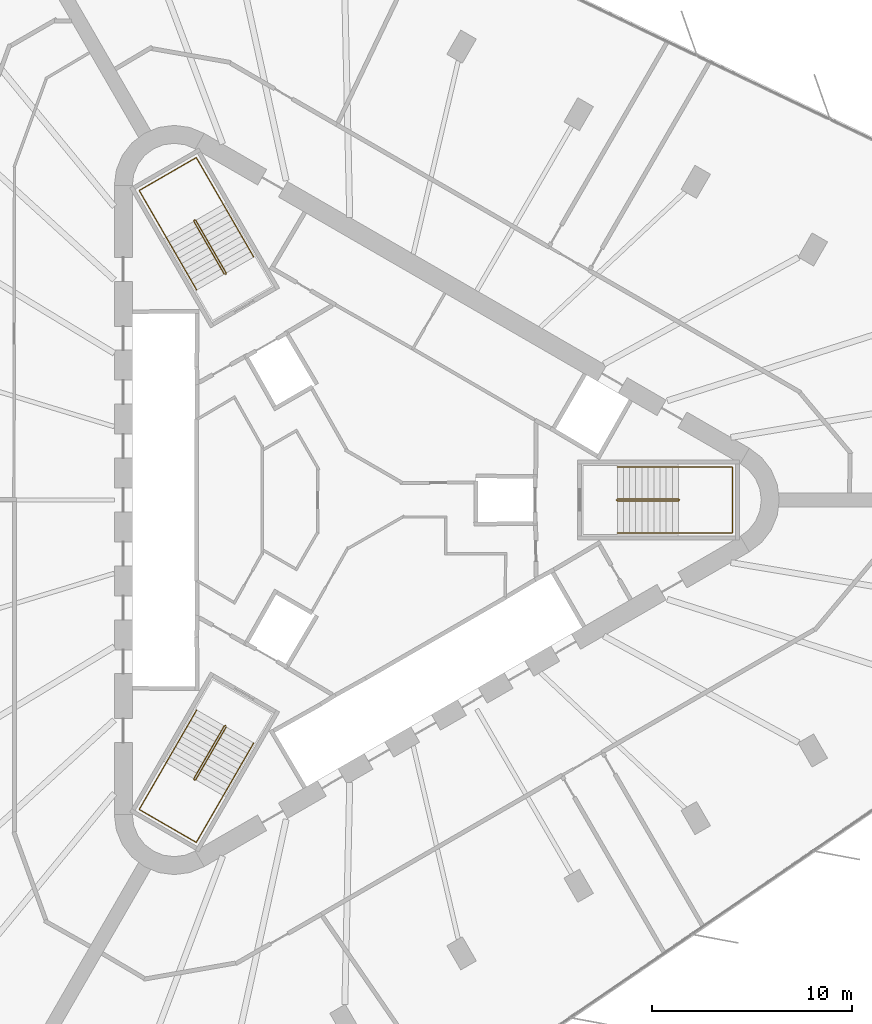
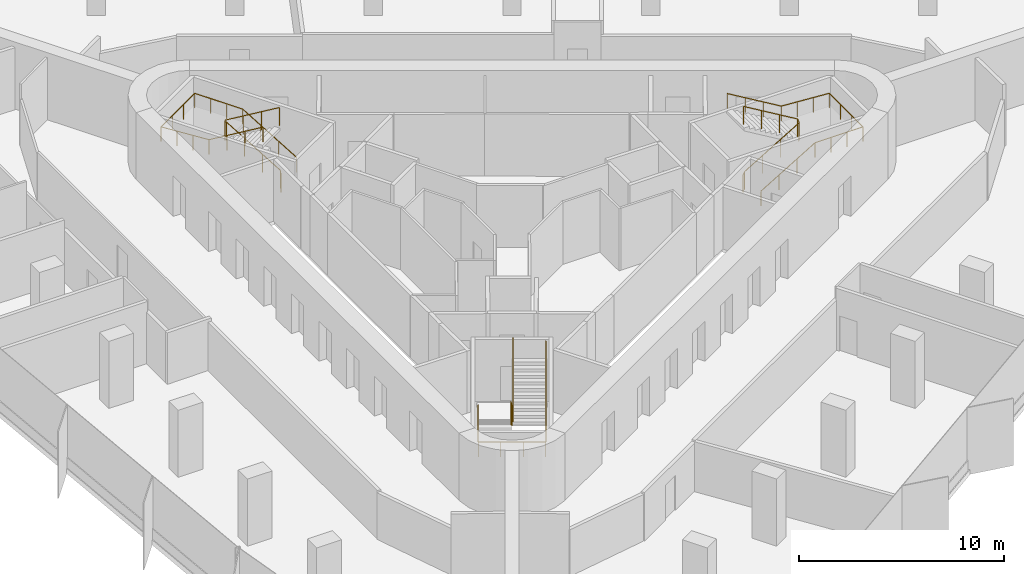
# One storey, part 13 of 13: 6 railings.
"""IFC4 building model written with IfcOpenShell, lengths in metres."""

from ifc_helpers import new_model, si_unit, direction, frame, origin, origin_2d, place, context, subcontext, project, spatial, circle, extrude, material, type_object, element, save


model = new_model("IFC4")

# Units and contexts
model_context = context("Model", 3, precision=1e-05, world=origin(), true_north=direction((0.0, 1.0)))
body_context = subcontext(model_context, "Body", "Model", "MODEL_VIEW")
ifc_project = project(units=[si_unit("LENGTHUNIT", "METRE"), si_unit("AREAUNIT", "SQUARE_METRE"), si_unit("VOLUMEUNIT", "CUBIC_METRE"), si_unit("PLANEANGLEUNIT", "RADIAN"), si_unit("MASSUNIT", "GRAM", prefix="KILO")], contexts=[model_context])

# Site, building, storey
site_placement = place(None, origin())
site = spatial("IfcSite", under=ifc_project, at=site_placement, CompositionType="ELEMENT")
building_placement = place(site_placement, origin())
building = spatial("IfcBuilding", under=site, at=building_placement, Name="Tanit Gate Tower", CompositionType="ELEMENT")
storey_placement = place(building_placement, frame((0.0, 0.0, 201.199951171875)))
storey = spatial("IfcBuildingStorey", under=building, at=storey_placement, Name="L44", CompositionType="ELEMENT", Elevation=201.199951171875)

# Railings
ifc_material_1 = material(Name="Stainless steel balustrade", Category="steel")
railing_type_1 = type_object("IfcRailingType", Name="INT-STAIR-GUARD", PredefinedType="GUARDRAIL", material=ifc_material_1)
railing_1_placement = place(storey_placement, frame((13.044921875, 0.0048828125, 0.0)))
element("IfcRailing", 1, at=railing_1_placement, inside=storey, type_object=railing_type_1, Name="L44 S1 stair guard 1", PredefinedType="GUARDRAIL", context=body_context, shape_type="SweptSolid", body=[
    extrude(circle(Radius=0.02392578125, at=origin_2d()), frame((0.0, 0.0, 1.076171875), z_axis=(0.0, -1.0, 0.0), x_axis=(1.0, 0.0, 0.0)), (0.0, 0.0, 1.0), 0.009765625),
    extrude(circle(Radius=0.02392578125, at=origin_2d()), frame((0.0, -0.009765625, 1.076171875), z_axis=(0.256435381639, -0.256435381639, 0.931923704005), x_axis=(0.707106781187, 0.707106781187, 0.0)), (0.0, 0.0, 1.0), 0.195068359375),
    extrude(circle(Radius=0.02392578125, at=origin_2d()), frame((0.050048828125, -0.059814453125, 1.2578125), z_axis=(0.859041732319, 0.0, 0.511905559781), x_axis=(0.0, 1.0, 0.0)), (0.0, 0.0, 1.0), 3.5517578125),
    extrude(circle(Radius=0.02392578125, at=origin_2d()), frame((3.10107421875, -0.059814453125, 3.076171875), z_axis=(0.707106781187, 0.707106781187, 0.0), x_axis=(-0.707106781187, 0.707106781187, 0.0)), (0.0, 0.0, 1.0), 0.07080078125),
    extrude(circle(Radius=0.02392578125, at=origin_2d()), frame((3.151123046875, -0.009765625, 3.076171875), z_axis=(0.0, 1.0, 0.0), x_axis=(-1.0, 0.0, 0.0)), (0.0, 0.0, 1.0), 0.009765625),
    extrude(circle(Radius=0.02392578125, at=origin_2d()), frame((3.151123046875, 0.0, 3.076171875), z_axis=(-0.256435381639, 0.256435381639, 0.931923704005), x_axis=(-0.707106781187, -0.707106781187, 0.0)), (0.0, 0.0, 1.0), 0.195068359375),
    extrude(circle(Radius=0.02392578125, at=origin_2d()), frame((3.10107421875, 0.050048828125, 3.2578125), z_axis=(-0.859041732319, 0.0, 0.511905559781), x_axis=(0.0, -1.0, 0.0)), (0.0, 0.0, 1.0), 3.5517578125),
    extrude(circle(Radius=0.02099609375, at=origin_2d()), origin(), (0.0, 0.0, 1.0), 1.052001953125),
    extrude(circle(Radius=0.02099609375, at=origin_2d()), frame((0.0, -0.009765625, 0.0)), (0.0, 0.0, 1.0), 1.052001953125),
    extrude(circle(Radius=0.02099609375, at=origin_2d()), frame((0.050048828125, -0.059814453125, 0.181884765625)), (0.0, 0.0, 1.0), 1.052001953125),
    extrude(circle(Radius=0.02099609375, at=origin_2d()), frame((1.067138671875, -0.059814453125, 0.787841796875)), (0.0, 0.0, 1.0), 1.052001953125),
    extrude(circle(Radius=0.02099609375, at=origin_2d()), frame((2.083984375, -0.059814453125, 1.39404296875)), (0.0, 0.0, 1.0), 1.052001953125),
    extrude(circle(Radius=0.02099609375, at=origin_2d()), frame((3.10107421875, -0.059814453125, 2.0)), (0.0, 0.0, 1.0), 1.052001953125),
    extrude(circle(Radius=0.02099609375, at=origin_2d()), frame((3.151123046875, -0.009765625, 2.0)), (0.0, 0.0, 1.0), 1.052001953125),
    extrude(circle(Radius=0.02099609375, at=origin_2d()), frame((3.151123046875, 0.0, 2.0)), (0.0, 0.0, 1.0), 1.052001953125),
    extrude(circle(Radius=0.02099609375, at=origin_2d()), frame((3.10107421875, 0.050048828125, 2.181884765625)), (0.0, 0.0, 1.0), 1.052001953125),
    extrude(circle(Radius=0.02099609375, at=origin_2d()), frame((2.083984375, 0.050048828125, 2.787841796875)), (0.0, 0.0, 1.0), 1.052001953125),
    extrude(circle(Radius=0.02099609375, at=origin_2d()), frame((1.067138671875, 0.050048828125, 3.39404296875)), (0.0, 0.0, 1.0), 1.052001953125),
    extrude(circle(Radius=0.02099609375, at=origin_2d()), frame((0.050048828125, 0.050048828125, 4.0)), (0.0, 0.0, 1.0), 1.052001953125),
])
railing_2_placement = place(storey_placement, frame((-6.527099609375, 11.29345703125, 0.0)))
element("IfcRailing", 2, at=railing_2_placement, inside=storey, type_object=railing_type_1, Name="L44 S2 stair guard 1", PredefinedType="GUARDRAIL", context=body_context, shape_type="SweptSolid", body=[
    extrude(circle(Radius=0.02392578125, at=origin_2d()), frame((0.0, 0.0, 1.076171875), z_axis=(0.868243142124, 0.496138938357, 0.0), x_axis=(-0.496138938357, 0.868243142124, 0.0)), (0.0, 0.0, 1.0), 0.01171875),
    extrude(circle(Radius=0.02392578125, at=origin_2d()), frame((0.01025390625, 0.005859375, 1.076171875), z_axis=(0.093819657636, 0.350260055175, 0.93194193252), x_axis=(-0.965948051503, 0.258736085224, 0.0)), (0.0, 0.0, 1.0), 0.195068359375),
    extrude(circle(Radius=0.02392578125, at=origin_2d()), frame((0.028564453125, 0.07421875, 1.2578125), z_axis=(-0.429472220917, 0.743822504634, 0.512134448226), x_axis=(-0.866012246495, -0.500022788402, 0.0)), (0.0, 0.0, 1.0), 3.550048828125),
    extrude(circle(Radius=0.02392578125, at=origin_2d()), frame((-1.49609375, 2.71484375, 3.076171875), z_axis=(-0.965715946433, 0.259601060869, 0.0), x_axis=(-0.259601060869, -0.965715946433, 0.0)), (0.0, 0.0, 1.0), 0.070556640625),
    extrude(circle(Radius=0.02392578125, at=origin_2d()), frame((-1.564208984375, 2.733154296875, 3.076171875), z_axis=(-0.873197702015, -0.487366159264, 0.0), x_axis=(0.487366159264, -0.873197702015, 0.0)), (0.0, 0.0, 1.0), 0.011962890625),
    extrude(circle(Radius=0.02392578125, at=origin_2d()), frame((-1.57470703125, 2.727294921875, 3.076171875), z_axis=(-0.093819657636, -0.350260055175, 0.93194193252), x_axis=(0.965948051503, -0.258736085224, 0.0)), (0.0, 0.0, 1.0), 0.195068359375),
    extrude(circle(Radius=0.02392578125, at=origin_2d()), frame((-1.593017578125, 2.658935546875, 3.2578125), z_axis=(0.429472220917, -0.743822504634, 0.512134448226), x_axis=(0.866012246495, 0.500022788402, 0.0)), (0.0, 0.0, 1.0), 3.550048828125),
    extrude(circle(Radius=0.02099609375, at=origin_2d()), origin(), (0.0, 0.0, 1.0), 1.052001953125),
    extrude(circle(Radius=0.02099609375, at=origin_2d()), frame((0.01025390625, 0.005859375, 0.0)), (0.0, 0.0, 1.0), 1.052001953125),
    extrude(circle(Radius=0.02099609375, at=origin_2d()), frame((0.028564453125, 0.07421875, 0.181884765625)), (0.0, 0.0, 1.0), 1.052001953125),
    extrude(circle(Radius=0.02099609375, at=origin_2d()), frame((-0.479736328125, 0.954345703125, 0.787841796875)), (0.0, 0.0, 1.0), 1.052001953125),
    extrude(circle(Radius=0.02099609375, at=origin_2d()), frame((-0.98779296875, 1.834716796875, 1.39404296875)), (0.0, 0.0, 1.0), 1.052001953125),
    extrude(circle(Radius=0.02099609375, at=origin_2d()), frame((-1.49609375, 2.71484375, 2.0)), (0.0, 0.0, 1.0), 1.052001953125),
    extrude(circle(Radius=0.02099609375, at=origin_2d()), frame((-1.564208984375, 2.733154296875, 2.0)), (0.0, 0.0, 1.0), 1.052001953125),
    extrude(circle(Radius=0.02099609375, at=origin_2d()), frame((-1.57470703125, 2.727294921875, 2.0)), (0.0, 0.0, 1.0), 1.052001953125),
    extrude(circle(Radius=0.02099609375, at=origin_2d()), frame((-1.593017578125, 2.658935546875, 2.181884765625)), (0.0, 0.0, 1.0), 1.052001953125),
    extrude(circle(Radius=0.02099609375, at=origin_2d()), frame((-1.084716796875, 1.77880859375, 2.787841796875)), (0.0, 0.0, 1.0), 1.052001953125),
    extrude(circle(Radius=0.02099609375, at=origin_2d()), frame((-0.57666015625, 0.8984375, 3.39404296875)), (0.0, 0.0, 1.0), 1.052001953125),
    extrude(circle(Radius=0.02099609375, at=origin_2d()), frame((-0.068359375, 0.018310546875, 4.0)), (0.0, 0.0, 1.0), 1.052001953125),
])
railing_3_placement = place(storey_placement, frame((-6.51806640625, -11.2998046875, 0.0)))
element("IfcRailing", 3, at=railing_3_placement, inside=storey, type_object=railing_type_1, Name="L44 S3 stair guard 1", PredefinedType="GUARDRAIL", context=body_context, shape_type="SweptSolid", body=[
    extrude(circle(Radius=0.02392578125, at=origin_2d()), frame((0.0, 0.0, 1.076171875), z_axis=(-0.874157276122, 0.485642931179, 0.0), x_axis=(-0.485642931179, -0.874157276122, 0.0)), (0.0, 0.0, 1.0), 0.010009765625),
    extrude(circle(Radius=0.02392578125, at=origin_2d()), frame((-0.0087890625, 0.0048828125, 1.076171875), z_axis=(-0.350300895388, -0.092579522353, 0.932050596658), x_axis=(0.255512919477, -0.966805641264, 0.0)), (0.0, 0.0, 1.0), 0.195068359375),
    extrude(circle(Radius=0.02392578125, at=origin_2d()), frame((-0.0771484375, -0.01318359375, 1.2578125), z_axis=(-0.429486674828, -0.743971555965, 0.511905772639), x_axis=(0.866048339477, -0.499960272111, 0.0)), (0.0, 0.0, 1.0), 3.5517578125),
    extrude(circle(Radius=0.02392578125, at=origin_2d()), frame((-1.6025390625, -2.655517578125, 3.076171875), z_axis=(0.258736085224, -0.965948051503, 0.0), x_axis=(0.965948051503, 0.258736085224, 0.0)), (0.0, 0.0, 1.0), 0.07080078125),
    extrude(circle(Radius=0.02392578125, at=origin_2d()), frame((-1.584228515625, -2.723876953125, 3.076171875), z_axis=(0.868243142124, -0.496138938357, 0.0), x_axis=(0.496138938357, 0.868243142124, 0.0)), (0.0, 0.0, 1.0), 0.009765625),
    extrude(circle(Radius=0.02392578125, at=origin_2d()), frame((-1.57568359375, -2.728759765625, 3.076171875), z_axis=(0.350260055175, 0.093819657636, 0.93194193252), x_axis=(-0.258736085224, 0.965948051503, 0.0)), (0.0, 0.0, 1.0), 0.195068359375),
    extrude(circle(Radius=0.02392578125, at=origin_2d()), frame((-1.50732421875, -2.71044921875, 3.2578125), z_axis=(0.429564698942, 0.743918894535, 0.511916836777), x_axis=(-0.865993683553, 0.500054937028, 0.0)), (0.0, 0.0, 1.0), 3.551513671875),
    extrude(circle(Radius=0.02099609375, at=origin_2d()), origin(), (0.0, 0.0, 1.0), 1.052001953125),
    extrude(circle(Radius=0.02099609375, at=origin_2d()), frame((-0.0087890625, 0.0048828125, 0.0)), (0.0, 0.0, 1.0), 1.052001953125),
    extrude(circle(Radius=0.02099609375, at=origin_2d()), frame((-0.0771484375, -0.01318359375, 0.181884765625)), (0.0, 0.0, 1.0), 1.052001953125),
    extrude(circle(Radius=0.02099609375, at=origin_2d()), frame((-0.585693359375, -0.89404296875, 0.787841796875)), (0.0, 0.0, 1.0), 1.052001953125),
    extrude(circle(Radius=0.02099609375, at=origin_2d()), frame((-1.093994140625, -1.774658203125, 1.39404296875)), (0.0, 0.0, 1.0), 1.052001953125),
    extrude(circle(Radius=0.02099609375, at=origin_2d()), frame((-1.6025390625, -2.655517578125, 2.0)), (0.0, 0.0, 1.0), 1.052001953125),
    extrude(circle(Radius=0.02099609375, at=origin_2d()), frame((-1.584228515625, -2.723876953125, 2.0)), (0.0, 0.0, 1.0), 1.052001953125),
    extrude(circle(Radius=0.02099609375, at=origin_2d()), frame((-1.57568359375, -2.728759765625, 2.0)), (0.0, 0.0, 1.0), 1.052001953125),
    extrude(circle(Radius=0.02099609375, at=origin_2d()), frame((-1.50732421875, -2.71044921875, 2.181884765625)), (0.0, 0.0, 1.0), 1.052001953125),
    extrude(circle(Radius=0.02099609375, at=origin_2d()), frame((-0.998779296875, -1.829833984375, 2.787841796875)), (0.0, 0.0, 1.0), 1.052001953125),
    extrude(circle(Radius=0.02099609375, at=origin_2d()), frame((-0.490234375, -0.948974609375, 3.39404296875)), (0.0, 0.0, 1.0), 1.052001953125),
    extrude(circle(Radius=0.02099609375, at=origin_2d()), frame((0.018310546875, -0.068359375, 4.0)), (0.0, 0.0, 1.0), 1.052001953125),
])
ifc_material_2 = material(Name="Stainless steel handrail", Category="steel")
railing_type_2 = type_object("IfcRailingType", Name="INT-STAIR-HANDRAIL", PredefinedType="HANDRAIL", material=ifc_material_2)
railing_4_placement = place(storey_placement, frame((13.094970703125, -1.64990234375, 0.181884765625)))
element("IfcRailing", 4, at=railing_4_placement, inside=storey, type_object=railing_type_2, Name="L44 S1 stair handrail 1", PredefinedType="HANDRAIL", context=body_context, shape_type="SweptSolid", body=[
    extrude(circle(Radius=0.02392578125, at=origin_2d()), frame((0.0, 0.0, 0.8759765625), z_axis=(0.859041732319, 0.0, 0.511905559781), x_axis=(0.0, 1.0, 0.0)), (0.0, 0.0, 1.0), 3.5517578125),
    extrude(circle(Radius=0.02392578125, at=origin_2d()), frame((3.051025390625, 0.0, 2.69384765625), z_axis=(1.0, 0.0, 0.0), x_axis=(0.0, 1.0, 0.0)), (0.0, 0.0, 1.0), 2.7041015625),
    extrude(circle(Radius=0.02392578125, at=origin_2d()), frame((5.755126953125, 0.0, 2.69384765625), z_axis=(0.0, 1.0, 0.0), x_axis=(-1.0, 0.0, 0.0)), (0.0, 0.0, 1.0), 3.2998046875),
    extrude(circle(Radius=0.02392578125, at=origin_2d()), frame((5.755126953125, 3.2998046875, 2.69384765625), z_axis=(-0.997745521698, 0.0, 0.067110907698), x_axis=(0.0, -1.0, 0.0)), (0.0, 0.0, 1.0), 2.710205078125),
    extrude(circle(Radius=0.02392578125, at=origin_2d()), frame((3.051025390625, 3.2998046875, 2.8759765625), z_axis=(-0.859041732319, 0.0, 0.511905559781), x_axis=(0.0, -1.0, 0.0)), (0.0, 0.0, 1.0), 3.5517578125),
    extrude(circle(Radius=0.02099609375, at=origin_2d()), origin(), (0.0, 0.0, 1.0), 0.851806640625),
    extrude(circle(Radius=0.02099609375, at=origin_2d()), frame((1.01708984375, 0.0, 0.60595703125)), (0.0, 0.0, 1.0), 0.851806640625),
    extrude(circle(Radius=0.02099609375, at=origin_2d()), frame((2.033935546875, 0.0, 1.212158203125)), (0.0, 0.0, 1.0), 0.851806640625),
    extrude(circle(Radius=0.02099609375, at=origin_2d()), frame((3.051025390625, 0.0, 1.818115234375)), (0.0, 0.0, 1.0), 0.851806640625),
    extrude(circle(Radius=0.02099609375, at=origin_2d()), frame((3.952392578125, 0.0, 1.818115234375)), (0.0, 0.0, 1.0), 0.851806640625),
    extrude(circle(Radius=0.02099609375, at=origin_2d()), frame((4.853759765625, 0.0, 1.818115234375)), (0.0, 0.0, 1.0), 0.851806640625),
    extrude(circle(Radius=0.02099609375, at=origin_2d()), frame((5.755126953125, 0.0, 1.818115234375)), (0.0, 0.0, 1.0), 0.851806640625),
    extrude(circle(Radius=0.02099609375, at=origin_2d()), frame((5.755126953125, 1.099853515625, 1.818115234375)), (0.0, 0.0, 1.0), 0.851806640625),
    extrude(circle(Radius=0.02099609375, at=origin_2d()), frame((5.755126953125, 2.199951171875, 1.818115234375)), (0.0, 0.0, 1.0), 0.851806640625),
    extrude(circle(Radius=0.02099609375, at=origin_2d()), frame((5.755126953125, 3.2998046875, 1.818115234375)), (0.0, 0.0, 1.0), 0.851806640625),
    extrude(circle(Radius=0.02099609375, at=origin_2d()), frame((4.853759765625, 3.2998046875, 1.878662109375)), (0.0, 0.0, 1.0), 0.851806640625),
    extrude(circle(Radius=0.02099609375, at=origin_2d()), frame((3.952392578125, 3.2998046875, 1.939453125)), (0.0, 0.0, 1.0), 0.851806640625),
    extrude(circle(Radius=0.02099609375, at=origin_2d()), frame((3.051025390625, 3.2998046875, 2.0)), (0.0, 0.0, 1.0), 0.851806640625),
    extrude(circle(Radius=0.02099609375, at=origin_2d()), frame((2.033935546875, 3.2998046875, 2.60595703125)), (0.0, 0.0, 1.0), 0.851806640625),
    extrude(circle(Radius=0.02099609375, at=origin_2d()), frame((1.01708984375, 3.2998046875, 3.212158203125)), (0.0, 0.0, 1.0), 0.851806640625),
    extrude(circle(Radius=0.02099609375, at=origin_2d()), frame((0.0, 3.2998046875, 3.818115234375)), (0.0, 0.0, 1.0), 0.851806640625),
])
railing_5_placement = place(storey_placement, frame((-5.1181640625, 12.164794921875, 0.181884765625)))
element("IfcRailing", 5, at=railing_5_placement, inside=storey, type_object=railing_type_2, Name="L44 S2 stair handrail 1", PredefinedType="HANDRAIL", context=body_context, shape_type="SweptSolid", body=[
    extrude(circle(Radius=0.02392578125, at=origin_2d()), frame((0.0, 0.0, 0.8759765625), z_axis=(-0.429416132344, 0.743844472684, 0.512149573602), x_axis=(-0.866046917185, -0.499962735845, 0.0)), (0.0, 0.0, 1.0), 3.550048828125),
    extrude(circle(Radius=0.02392578125, at=origin_2d()), frame((-1.5244140625, 2.640625, 2.69384765625), z_axis=(-0.500019123664, 0.86601436245, 0.0), x_axis=(-0.86601436245, -0.500019123664, 0.0)), (0.0, 0.0, 1.0), 2.70703125),
    extrude(circle(Radius=0.02392578125, at=origin_2d()), frame((-2.8779296875, 4.98486328125, 2.69384765625), z_axis=(-0.866008176907, -0.50002983664, 0.0), x_axis=(0.50002983664, -0.866008176907, 0.0)), (0.0, 0.0, 1.0), 3.300048828125),
    extrude(circle(Radius=0.02392578125, at=origin_2d()), frame((-5.73583984375, 3.334716796875, 2.69384765625), z_axis=(0.498932980467, -0.864043208057, 0.067046369128), x_axis=(0.865991810323, 0.500058181068, 0.0)), (0.0, 0.0, 1.0), 2.712890625),
    extrude(circle(Radius=0.02392578125, at=origin_2d()), frame((-4.38232421875, 0.99072265625, 2.8759765625), z_axis=(0.429450252752, -0.743853224023, 0.512108251761), x_axis=(0.866032263162, 0.499988119021, 0.0)), (0.0, 0.0, 1.0), 3.55029296875),
    extrude(circle(Radius=0.02099609375, at=origin_2d()), origin(), (0.0, 0.0, 1.0), 0.851806640625),
    extrude(circle(Radius=0.02099609375, at=origin_2d()), frame((-0.508056640625, 0.880126953125, 0.60595703125)), (0.0, 0.0, 1.0), 0.851806640625),
    extrude(circle(Radius=0.02099609375, at=origin_2d()), frame((-1.016357421875, 1.760498046875, 1.212158203125)), (0.0, 0.0, 1.0), 0.851806640625),
    extrude(circle(Radius=0.02099609375, at=origin_2d()), frame((-1.5244140625, 2.640625, 1.818115234375)), (0.0, 0.0, 1.0), 0.851806640625),
    extrude(circle(Radius=0.02099609375, at=origin_2d()), frame((-1.9755859375, 3.422119140625, 1.818115234375)), (0.0, 0.0, 1.0), 0.851806640625),
    extrude(circle(Radius=0.02099609375, at=origin_2d()), frame((-2.4267578125, 4.203369140625, 1.818115234375)), (0.0, 0.0, 1.0), 0.851806640625),
    extrude(circle(Radius=0.02099609375, at=origin_2d()), frame((-2.8779296875, 4.98486328125, 1.818115234375)), (0.0, 0.0, 1.0), 0.851806640625),
    extrude(circle(Radius=0.02099609375, at=origin_2d()), frame((-3.83056640625, 4.434814453125, 1.818115234375)), (0.0, 0.0, 1.0), 0.851806640625),
    extrude(circle(Radius=0.02099609375, at=origin_2d()), frame((-4.783203125, 3.884765625, 1.818115234375)), (0.0, 0.0, 1.0), 0.851806640625),
    extrude(circle(Radius=0.02099609375, at=origin_2d()), frame((-5.73583984375, 3.334716796875, 1.818115234375)), (0.0, 0.0, 1.0), 0.851806640625),
    extrude(circle(Radius=0.02099609375, at=origin_2d()), frame((-5.28466796875, 2.553466796875, 1.878662109375)), (0.0, 0.0, 1.0), 0.851806640625),
    extrude(circle(Radius=0.02099609375, at=origin_2d()), frame((-4.83349609375, 1.77197265625, 1.939453125)), (0.0, 0.0, 1.0), 0.851806640625),
    extrude(circle(Radius=0.02099609375, at=origin_2d()), frame((-4.38232421875, 0.99072265625, 2.0)), (0.0, 0.0, 1.0), 0.851806640625),
    extrude(circle(Radius=0.02099609375, at=origin_2d()), frame((-3.8740234375, 0.1103515625, 2.60595703125)), (0.0, 0.0, 1.0), 0.851806640625),
    extrude(circle(Radius=0.02099609375, at=origin_2d()), frame((-3.365966796875, -0.769775390625, 3.212158203125)), (0.0, 0.0, 1.0), 0.851806640625),
    extrude(circle(Radius=0.02099609375, at=origin_2d()), frame((-2.857666015625, -1.650146484375, 3.818115234375)), (0.0, 0.0, 1.0), 0.851806640625),
])
railing_6_placement = place(storey_placement, frame((-7.9765625, -10.515625, 0.181884765625)))
element("IfcRailing", 6, at=railing_6_placement, inside=storey, type_object=railing_type_2, Name="L44 S3 stair handrail 1", PredefinedType="HANDRAIL", context=body_context, shape_type="SweptSolid", body=[
    extrude(circle(Radius=0.02392578125, at=origin_2d()), frame((0.0, 0.0, 0.8759765625), z_axis=(-0.429486674828, -0.743971555965, 0.511905772639), x_axis=(0.866048339477, -0.499960272111, 0.0)), (0.0, 0.0, 1.0), 3.5517578125),
    extrude(circle(Radius=0.02392578125, at=origin_2d()), frame((-1.525390625, -2.642333984375, 2.69384765625), z_axis=(-0.50004290449, -0.866000631449, 0.0), x_axis=(0.866000631449, -0.50004290449, 0.0)), (0.0, 0.0, 1.0), 2.703857421875),
    extrude(circle(Radius=0.02392578125, at=origin_2d()), frame((-2.87744140625, -4.98388671875, 2.69384765625), z_axis=(0.866008176907, -0.50002983664, 0.0), x_axis=(0.50002983664, 0.866008176907, 0.0)), (0.0, 0.0, 1.0), 3.300048828125),
    extrude(circle(Radius=0.02392578125, at=origin_2d()), frame((-0.01953125, -6.634033203125, 2.69384765625), z_axis=(0.498876541924, 0.864070745781, 0.067111416348), x_axis=(-0.866023205937, 0.500003806764, 0.0)), (0.0, 0.0, 1.0), 2.710205078125),
    extrude(circle(Radius=0.02392578125, at=origin_2d()), frame((1.33251953125, -4.292236328125, 2.8759765625), z_axis=(0.429486674828, 0.743971555965, 0.511905772639), x_axis=(-0.866048339477, 0.499960272111, 0.0)), (0.0, 0.0, 1.0), 3.5517578125),
    extrude(circle(Radius=0.02099609375, at=origin_2d()), origin(), (0.0, 0.0, 1.0), 0.851806640625),
    extrude(circle(Radius=0.02099609375, at=origin_2d()), frame((-0.508544921875, -0.880859375, 0.60595703125)), (0.0, 0.0, 1.0), 0.851806640625),
    extrude(circle(Radius=0.02099609375, at=origin_2d()), frame((-1.016845703125, -1.761474609375, 1.212158203125)), (0.0, 0.0, 1.0), 0.851806640625),
    extrude(circle(Radius=0.02099609375, at=origin_2d()), frame((-1.525390625, -2.642333984375, 1.818115234375)), (0.0, 0.0, 1.0), 0.851806640625),
    extrude(circle(Radius=0.02099609375, at=origin_2d()), frame((-1.97607421875, -3.4228515625, 1.818115234375)), (0.0, 0.0, 1.0), 0.851806640625),
    extrude(circle(Radius=0.02099609375, at=origin_2d()), frame((-2.4267578125, -4.203369140625, 1.818115234375)), (0.0, 0.0, 1.0), 0.851806640625),
    extrude(circle(Radius=0.02099609375, at=origin_2d()), frame((-2.87744140625, -4.98388671875, 1.818115234375)), (0.0, 0.0, 1.0), 0.851806640625),
    extrude(circle(Radius=0.02099609375, at=origin_2d()), frame((-1.9248046875, -5.533935546875, 1.818115234375)), (0.0, 0.0, 1.0), 0.851806640625),
    extrude(circle(Radius=0.02099609375, at=origin_2d()), frame((-0.97216796875, -6.083984375, 1.818115234375)), (0.0, 0.0, 1.0), 0.851806640625),
    extrude(circle(Radius=0.02099609375, at=origin_2d()), frame((-0.01953125, -6.634033203125, 1.818115234375)), (0.0, 0.0, 1.0), 0.851806640625),
    extrude(circle(Radius=0.02099609375, at=origin_2d()), frame((0.43115234375, -5.853515625, 1.878662109375)), (0.0, 0.0, 1.0), 0.851806640625),
    extrude(circle(Radius=0.02099609375, at=origin_2d()), frame((0.8818359375, -5.07275390625, 1.939453125)), (0.0, 0.0, 1.0), 0.851806640625),
    extrude(circle(Radius=0.02099609375, at=origin_2d()), frame((1.33251953125, -4.292236328125, 2.0)), (0.0, 0.0, 1.0), 0.851806640625),
    extrude(circle(Radius=0.02099609375, at=origin_2d()), frame((1.841064453125, -3.411376953125, 2.60595703125)), (0.0, 0.0, 1.0), 0.851806640625),
    extrude(circle(Radius=0.02099609375, at=origin_2d()), frame((2.349365234375, -2.53076171875, 3.212158203125)), (0.0, 0.0, 1.0), 0.851806640625),
    extrude(circle(Radius=0.02099609375, at=origin_2d()), frame((2.85791015625, -1.64990234375, 3.818115234375)), (0.0, 0.0, 1.0), 0.851806640625),
])

save(model, "model.ifc")
